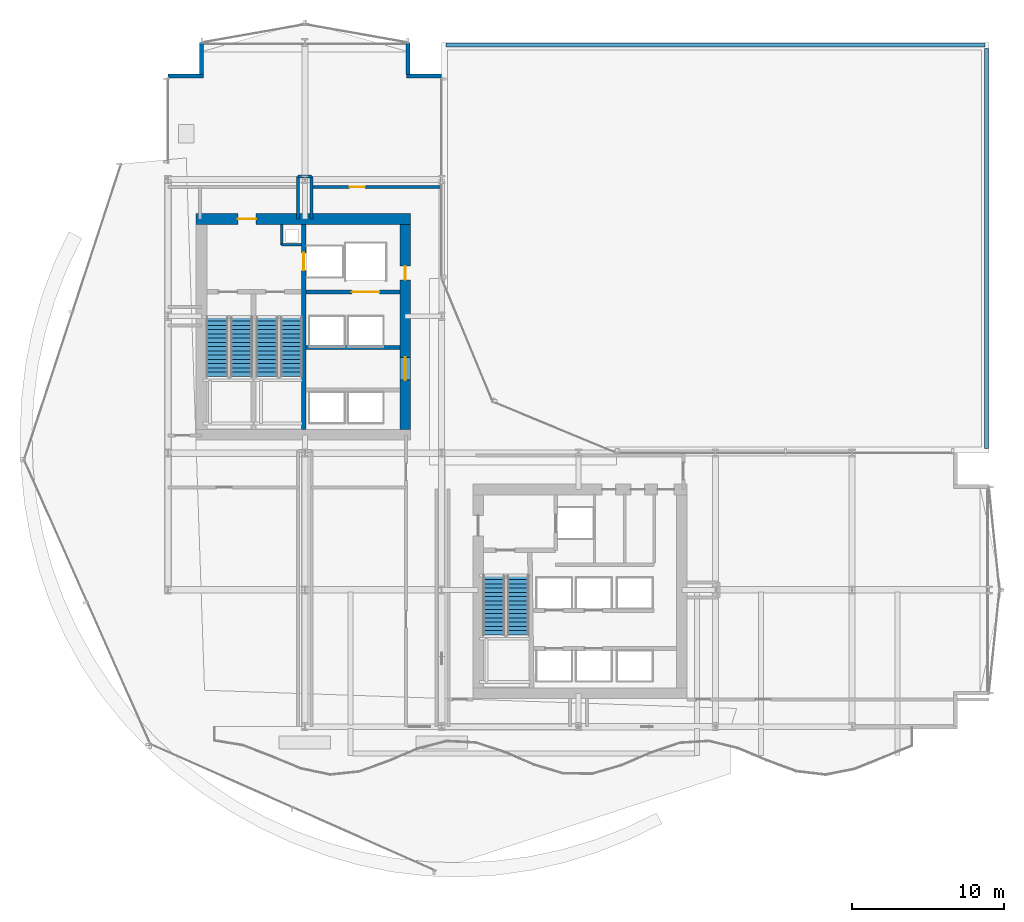
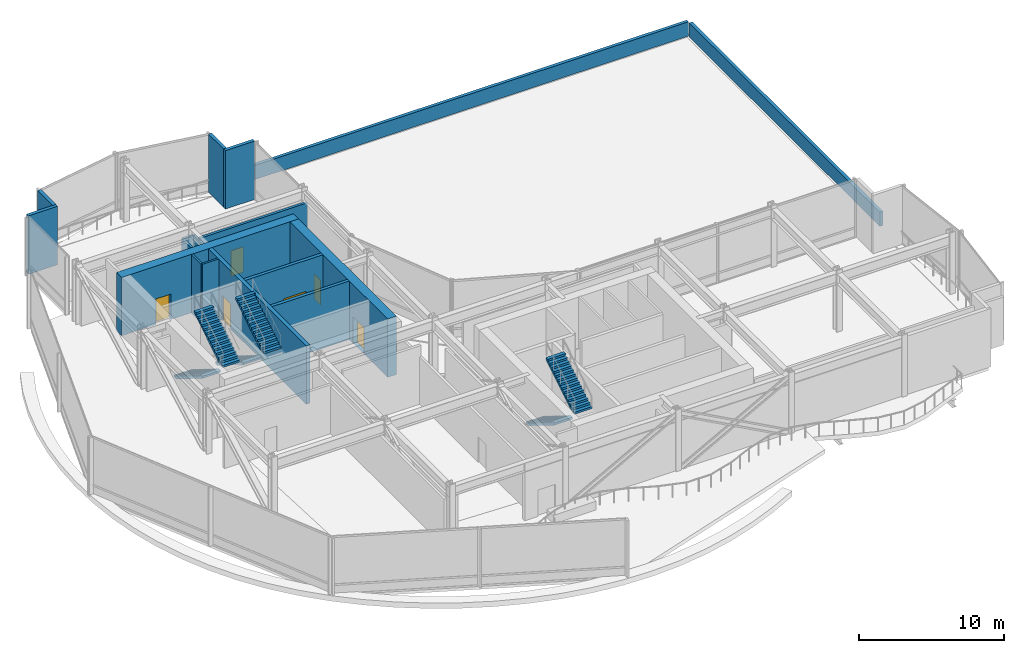
# One storey, part 30 of 37: 17 walls, 6 doors, 6 stair flights, 6 openings, 3 elements without a shape of their own.
"""IFC4 building model written with IfcOpenShell, lengths in metres."""

from ifc_helpers import new_model, si_unit, direction, frame, frame_2d, origin, place, context, subcontext, project, spatial, polyline, rectangle, outline, extrude, material, layer, layer_set, type_object, element, fill, aggregate, save


model = new_model("IFC4")

# Units and contexts
model_context = context("Model", 3, precision=1e-05, world=origin(), true_north=direction((0.0, 1.0)))
body_context = subcontext(model_context, "Body", "Model", "MODEL_VIEW")
ifc_project = project(units=[si_unit("LENGTHUNIT", "METRE"), si_unit("AREAUNIT", "SQUARE_METRE"), si_unit("VOLUMEUNIT", "CUBIC_METRE"), si_unit("PLANEANGLEUNIT", "RADIAN"), si_unit("MASSUNIT", "GRAM", prefix="KILO")], contexts=[model_context])

# Site, building, storey
site_placement = place(None, origin())
site = spatial("IfcSite", under=ifc_project, at=site_placement, CompositionType="ELEMENT")
building_placement = place(site_placement, origin())
building = spatial("IfcBuilding", under=site, at=building_placement, Name="Solvaryn Broadcast Tower", CompositionType="ELEMENT")
storey_placement = place(building_placement, frame((0.0, 0.0, 30.800048828125)))
storey = spatial("IfcBuildingStorey", under=building, at=storey_placement, Name="L06", CompositionType="ELEMENT", Elevation=30.800048828125)

# Wall, opening, door
ifc_material_1 = material(Name="Concrete f'c 70 MPa", Category="concrete")
ifc_layer_1 = layer(ifc_material_1, 0.699951171875)
ifc_layer_set_1 = layer_set([ifc_layer_1], Name="CW-SHEAR-700")
wall_type_1 = type_object("IfcWallType", Name="CW-SHEAR-700", PredefinedType="SHEAR", material=ifc_layer_set_1)
wall_1_placement = place(storey_placement, frame((24.949951171875, 42.39990234375, 0.0), z_axis=(0.0, 0.0, 1.0), x_axis=(-1.0, 0.0, 0.0)))
wall_1 = element("IfcWall", 1, at=wall_1_placement, inside=storey, type_object=wall_type_1, Name="L06 West Core North Shear Wall", PredefinedType="SHEAR", context=body_context, shape_type="SweptSolid", body=[
    extrude(rectangle(XDim=14.099853515625, YDim=0.699951171875, at=frame_2d((7.0498046875, 0.0))), origin(), (0.0, 0.0, 1.0), 4.919921875),
])
opening_1_placement = place(wall_1_placement, frame((10.14990234375, 0.0, 0.0)))
opening_1 = element("IfcOpeningElement", 2, at=opening_1_placement, cuts=wall_1, Name="Opening FD90A", PredefinedType="OPENING", context=body_context, shape_type="SweptSolid", body=[
    extrude(rectangle(XDim=1.199951171875, YDim=2.14990234375, at=frame_2d((0.60009765625, 1.074951171875))), frame((0.0, 0.360107421875, 0.0), z_axis=(0.0, -1.0, 0.0), x_axis=(1.0, 0.0, 0.0)), (0.0, 0.0, 1.0), 0.719970703125),
])
ifc_material_2 = material(Name="Flush Acoustic Steel and Timber Door Assembly", Category="steel")
door_type_1 = type_object("IfcDoorType", Name="FD90-STAIR-1200X2150", OperationType="NOTDEFINED", PredefinedType="DOOR", material=ifc_material_2)
door_1_placement = place(opening_1_placement, origin())
door_1 = element("IfcDoor", 3, at=door_1_placement, inside=storey, type_object=door_type_1, Name="L06 West FSAE Lobby Corridor Door", OperationType="SINGLE_SWING_LEFT", OverallHeight=2.14990234375, OverallWidth=1.199951171875, PredefinedType="DOOR", context=body_context, shape_type="SweptSolid", body=[
    extrude(rectangle(XDim=1.199951171875, YDim=2.14990234375, at=frame_2d((0.60009765625, 1.074951171875))), frame((0.0, 0.02490234375, 0.0), z_axis=(0.0, -1.0, 0.0), x_axis=(1.0, 0.0, 0.0)), (0.0, 0.0, 1.0), 0.050048828125),
])
fill(opening_1, door_1)

# Wall, openings, doors
wall_2_placement = place(storey_placement, frame((24.60009765625, 28.550048828125, 0.0), z_axis=(0.0, 0.0, 1.0), x_axis=(0.0, 1.0, 0.0)))
wall_2 = element("IfcWall", 4, at=wall_2_placement, inside=storey, type_object=wall_type_1, Name="L06 West Core East Shear Wall", PredefinedType="SHEAR", context=body_context, shape_type="SweptSolid", body=[
    extrude(rectangle(XDim=13.5, YDim=0.699951171875, at=frame_2d((6.75, 0.0))), origin(), (0.0, 0.0, 1.0), 4.919921875),
])
opening_2_placement = place(wall_2_placement, frame((3.25, 0.0, 0.0)))
opening_2 = element("IfcOpeningElement", 5, at=opening_2_placement, cuts=wall_2, Name="Opening FD60A", PredefinedType="OPENING", context=body_context, shape_type="SweptSolid", body=[
    extrude(rectangle(XDim=1.5, YDim=2.199951171875, at=frame_2d((0.75, 1.10009765625))), frame((0.0, 0.360107421875, 0.0), z_axis=(0.0, -1.0, 0.0), x_axis=(1.0, 0.0, 0.0)), (0.0, 0.0, 1.0), 0.719970703125),
])
opening_3_placement = place(wall_2_placement, frame((9.85009765625, 0.0, 0.0)))
opening_3 = element("IfcOpeningElement", 6, at=opening_3_placement, cuts=wall_2, Name="Opening FD60C", PredefinedType="OPENING", context=body_context, shape_type="SweptSolid", body=[
    extrude(rectangle(XDim=0.89990234375, YDim=2.10009765625, at=frame_2d((0.449951171875, 1.050048828125))), frame((0.0, 0.360107421875, 0.0), z_axis=(0.0, -1.0, 0.0), x_axis=(1.0, 0.0, 0.0)), (0.0, 0.0, 1.0), 0.719970703125),
])
ifc_material_3 = material(Name="Flush Acoustic Steel and Timber Door Assembly", Category="steel")
door_type_2 = type_object("IfcDoorType", Name="FD60-CORR-1500X2200", OperationType="NOTDEFINED", PredefinedType="DOOR", material=ifc_material_3)
door_2_placement = place(opening_2_placement, origin())
door_2 = element("IfcDoor", 7, at=door_2_placement, inside=storey, type_object=door_type_2, Name="L06 West Elevator Lobby Corridor Door", OperationType="DOUBLE_DOOR_SINGLE_SWING", OverallHeight=2.199951171875, OverallWidth=1.5, PredefinedType="DOOR", context=body_context, shape_type="SweptSolid", body=[
    extrude(rectangle(XDim=1.5, YDim=2.199951171875, at=frame_2d((0.75, 1.10009765625))), frame((0.0, 0.02490234375, 0.0), z_axis=(0.0, -1.0, 0.0), x_axis=(1.0, 0.0, 0.0)), (0.0, 0.0, 1.0), 0.050048828125),
])
fill(opening_2, door_2)
ifc_material_4 = material(Name="Flush Acoustic Steel and Timber Door Assembly", Category="steel")
door_type_3 = type_object("IfcDoorType", Name="FD60-SERV-900X2100", OperationType="NOTDEFINED", PredefinedType="DOOR", material=ifc_material_4)
door_3_placement = place(opening_3_placement, origin())
door_3 = element("IfcDoor", 8, at=door_3_placement, inside=storey, type_object=door_type_3, Name="L06 West Core Service Door 1", OperationType="SINGLE_SWING_LEFT", OverallHeight=2.10009765625, OverallWidth=0.89990234375, PredefinedType="DOOR", context=body_context, shape_type="SweptSolid", body=[
    extrude(rectangle(XDim=0.89990234375, YDim=2.10009765625, at=frame_2d((0.449951171875, 1.050048828125))), frame((0.0, 0.02490234375, 0.0), z_axis=(0.0, -1.0, 0.0), x_axis=(1.0, 0.0, 0.0)), (0.0, 0.0, 1.0), 0.050048828125),
])
fill(opening_3, door_3)

# Walls
ifc_material_5 = material(Name="Concrete f'c 50 MPa", Category="concrete")
ifc_layer_2 = layer(ifc_material_5, 0.260009765625)
ifc_layer_set_2 = layer_set([ifc_layer_2], Name="EW-PIER-260")
wall_type_2 = type_object("IfcWallType", Name="EW-PIER-260", PredefinedType="SOLIDWALL", material=ifc_layer_set_2)
wall_3_placement = place(storey_placement, frame((9.0, 51.800048828125, 0.0), z_axis=(0.0, 0.0, 1.0), x_axis=(1.0, 0.0, 0.0)))
element("IfcWall", 9, at=wall_3_placement, inside=storey, type_object=wall_type_2, Name="L06 Notched Corner Pier Wall NNW1", PredefinedType="SOLIDWALL", context=body_context, shape_type="SweptSolid", body=[
    extrude(rectangle(XDim=2.320068359375, YDim=0.260009765625, at=frame_2d((1.16015625, 0.0))), origin(), (0.0, 0.0, 1.0), 4.919921875),
])
for number, where, z_axis, x_axis, name in (
    (10, (11.199951171875, 51.919921875, 0.0), (0.0, 0.0, 1.0), (0.0, 1.0, 0.0), "L06 Notched Corner Pier Wall NNW2"),
    (11, (24.800048828125, 54.0, 0.0), (0.0, 0.0, 1.0), (0.0, -1.0, 0.0), "L06 Notched Corner Pier Wall NNE1"),
):
    element("IfcWall", number, at=place(storey_placement, frame(where, z_axis=z_axis, x_axis=x_axis)), inside=storey, type_object=wall_type_2, Name=name, PredefinedType="SOLIDWALL", context=body_context, shape_type="SweptSolid", body=[
        extrude(rectangle(XDim=2.080078125, YDim=0.260009765625, at=frame_2d((1.0400390625, 0.0))), origin(), (0.0, 0.0, 1.0), 4.919921875),
    ])
wall_4_placement = place(storey_placement, frame((24.679931640625, 51.800048828125, 0.0), z_axis=(0.0, 0.0, 1.0), x_axis=(1.0, 0.0, 0.0)))
element("IfcWall", 12, at=wall_4_placement, inside=storey, type_object=wall_type_2, Name="L06 Notched Corner Pier Wall NNE2", PredefinedType="SOLIDWALL", context=body_context, shape_type="SweptSolid", body=[
    extrude(rectangle(XDim=2.320068359375, YDim=0.260009765625, at=frame_2d((1.16015625, 0.0))), origin(), (0.0, 0.0, 1.0), 4.919921875),
])
ifc_material_6 = material(Name="Metal-Stud Service Core Partition")
ifc_layer_3 = layer(ifc_material_6, 0.14990234375)
ifc_layer_set_3 = layer_set([ifc_layer_3], Name="IW-PART-150")
wall_type_3 = type_object("IfcWallType", Name="IW-PART-150", PredefinedType="PARTITIONING", material=ifc_layer_set_3)
wall_5_placement = place(storey_placement, frame((16.47998046875, 40.699951171875, 0.0), z_axis=(0.0, 0.0, 1.0), x_axis=(1.0, 0.0, 0.0)))
element("IfcWall", 13, at=wall_5_placement, inside=storey, type_object=wall_type_3, Name="L06 West Core Riser Shaft South Wall", PredefinedType="PARTITIONING", context=body_context, shape_type="SweptSolid", body=[
    extrude(rectangle(XDim=1.2900390625, YDim=0.14990234375, at=frame_2d((0.64501953125, 0.0))), origin(), (0.0, 0.0, 1.0), 4.919921875),
])
wall_6_placement = place(storey_placement, frame((16.47998046875, 40.699951171875, 0.0), z_axis=(0.0, 0.0, 1.0), x_axis=(0.0, 1.0, 0.0)))
element("IfcWall", 14, at=wall_6_placement, inside=storey, type_object=wall_type_3, Name="L06 West Core Riser Shaft West Wall", PredefinedType="PARTITIONING", context=body_context, shape_type="SweptSolid", body=[
    extrude(rectangle(XDim=1.35009765625, YDim=0.14990234375, at=frame_2d((0.675048828125, 0.0))), origin(), (0.0, 0.0, 1.0), 4.919921875),
])

# Wall, opening, door
ifc_material_7 = material(Name="Gypsum Fire-Rated Shaftwall Assembly", Category="concrete")
ifc_layer_4 = layer(ifc_material_7, 0.199951171875)
ifc_layer_set_4 = layer_set([ifc_layer_4], Name="IW-RATED-200")
wall_type_4 = type_object("IfcWallType", Name="IW-RATED-200", PredefinedType="PARTITIONING", material=ifc_layer_set_4)
wall_7_placement = place(storey_placement, frame((18.449951171875, 44.5, 0.0), z_axis=(0.0, 0.0, 1.0), x_axis=(1.0, 0.0, 0.0)))
wall_7 = element("IfcWall", 15, at=wall_7_placement, inside=storey, type_object=wall_type_4, Name="L06 Interior Partition IW-L06-MW7B", PredefinedType="PARTITIONING", context=body_context, shape_type="SweptSolid", body=[
    extrude(rectangle(XDim=8.550048828125, YDim=0.199951171875, at=frame_2d((4.27490234375, 0.0))), origin(), (0.0, 0.0, 1.0), 4.126953125),
])
opening_4_placement = place(wall_7_placement, frame((2.5, 0.0, 0.0)))
opening_4 = element("IfcOpeningElement", 16, at=opening_4_placement, cuts=wall_7, Name="Opening FD90D", PredefinedType="OPENING", context=body_context, shape_type="SweptSolid", body=[
    extrude(rectangle(XDim=1.0, YDim=2.14990234375, at=frame_2d((0.5, 1.074951171875))), frame((0.0, 0.110107421875, 0.0), z_axis=(0.0, -1.0, 0.0), x_axis=(1.0, 0.0, 0.0)), (0.0, 0.0, 1.0), 0.219970703125),
])
ifc_material_8 = material(Name="Flush Acoustic Steel and Timber Door Assembly", Category="steel")
door_type_4 = type_object("IfcDoorType", Name="FD90-FCC-1000X2150", OperationType="NOTDEFINED", PredefinedType="DOOR", material=ifc_material_8)
door_4_placement = place(opening_4_placement, origin())
door_4 = element("IfcDoor", 17, at=door_4_placement, inside=storey, type_object=door_type_4, Name="L06 Door DR-L06-MD4B", OperationType="SINGLE_SWING_LEFT", OverallHeight=2.14990234375, OverallWidth=1.0, PredefinedType="DOOR", context=body_context, shape_type="SweptSolid", body=[
    extrude(rectangle(XDim=1.0, YDim=2.14990234375, at=frame_2d((0.5, 1.074951171875))), frame((0.0, 0.02490234375, 0.0), z_axis=(0.0, -1.0, 0.0), x_axis=(1.0, 0.0, 0.0)), (0.0, 0.0, 1.0), 0.050048828125),
])
fill(opening_4, door_4)

# Walls
for number, where, z_axis, x_axis, name in (
    (18, (17.550048828125, 42.39990234375, 0.0), (0.0, 0.0, 1.0), (0.0, 1.0, 0.0), "L06 Interior Partition IW-L06-MW7W"),
    (19, (18.449951171875, 42.39990234375, 0.0), (0.0, 0.0, 1.0), (0.0, 1.0, 0.0), "L06 Interior Partition IW-L06-MW7E"),
):
    element("IfcWall", number, at=place(storey_placement, frame(where, z_axis=z_axis, x_axis=x_axis)), inside=storey, type_object=wall_type_4, Name=name, PredefinedType="PARTITIONING", context=body_context, shape_type="SweptSolid", body=[
        extrude(rectangle(XDim=2.800048828125, YDim=0.199951171875, at=frame_2d((1.39990234375, 0.0))), origin(), (0.0, 0.0, 1.0), 3.972900390625),
    ])
wall_8_placement = place(storey_placement, frame((17.550048828125, 45.199951171875, 0.0), z_axis=(0.0, 0.0, 1.0), x_axis=(1.0, 0.0, 0.0)))
element("IfcWall", 20, at=wall_8_placement, inside=storey, type_object=wall_type_4, Name="L06 Interior Partition IW-L06-MW7N", PredefinedType="PARTITIONING", context=body_context, shape_type="SweptSolid", body=[
    extrude(rectangle(XDim=0.89990234375, YDim=0.199951171875, at=frame_2d((0.449951171875, 0.0))), origin(), (0.0, 0.0, 1.0), 3.972900390625),
])
ifc_material_9 = material(Name="Concrete f'c 50 MPa", Category="concrete")
ifc_layer_5 = layer(ifc_material_9, 0.25)
ifc_layer_set_5 = layer_set([ifc_layer_5], Name="PR-ROOF-250")
wall_type_5 = type_object("IfcWallType", Name="PR-ROOF-250", PredefinedType="PARAPET", material=ifc_layer_set_5)
wall_9_placement = place(storey_placement, frame((27.300048828125, 53.85009765625, 0.0), z_axis=(0.0, 0.0, 1.0), x_axis=(1.0, 0.0, 0.0)))
element("IfcWall", 21, at=wall_9_placement, inside=storey, type_object=wall_type_5, Name="L06 Podium Roof North Parapet", PredefinedType="PARAPET", context=body_context, shape_type="SweptSolid", body=[
    extrude(rectangle(XDim=35.449951171875, YDim=0.25, at=frame_2d((17.72509765625, 0.0))), origin(), (0.0, 0.0, 1.0), 1.199951171875),
])
wall_10_placement = place(storey_placement, frame((62.85009765625, 53.60009765625, 0.0), z_axis=(0.0, 0.0, 1.0), x_axis=(0.0, -1.0, 0.0)))
element("IfcWall", 22, at=wall_10_placement, inside=storey, type_object=wall_type_5, Name="L06 Podium Roof East Parapet", PredefinedType="PARAPET", context=body_context, shape_type="SweptSolid", body=[
    extrude(rectangle(XDim=26.300048828125, YDim=0.25, at=frame_2d((13.14990234375, 0.0))), origin(), (0.0, 0.0, 1.0), 1.199951171875),
])

# Wall, opening, door
ifc_material_10 = material(Name="Concrete f'c 60 MPa", Category="concrete")
ifc_layer_6 = layer(ifc_material_10, 0.25)
ifc_layer_set_6 = layer_set([ifc_layer_6], Name="SW-SHAFT-250")
wall_type_6 = type_object("IfcWallType", Name="SW-SHAFT-250", PredefinedType="PARTITIONING", material=ifc_layer_set_6)
wall_11_placement = place(storey_placement, frame((18.070068359375, 37.60009765625, 0.0), z_axis=(0.0, 0.0, 1.0), x_axis=(1.0, 0.0, 0.0)))
wall_11 = element("IfcWall", 23, at=wall_11_placement, inside=storey, type_object=wall_type_6, Name="L06 West Core FSAE Hoistway Front Wall", PredefinedType="PARTITIONING", context=body_context, shape_type="SweptSolid", body=[
    extrude(rectangle(XDim=6.179931640625, YDim=0.25, at=frame_2d((3.08984375, 0.0))), origin(), (0.0, 0.0, 1.0), 4.919921875),
])
opening_5_placement = place(wall_11_placement, frame((3.030029296875, 0.0, 0.0)))
opening_5 = element("IfcOpeningElement", 24, at=opening_5_placement, cuts=wall_11, Name="Opening LD02", PredefinedType="OPENING", context=body_context, shape_type="SweptSolid", body=[
    extrude(rectangle(XDim=1.800048828125, YDim=2.300048828125, at=frame_2d((0.89990234375, 1.14990234375))), frame((0.0, 0.135009765625, 0.0), z_axis=(0.0, -1.0, 0.0), x_axis=(1.0, 0.0, 0.0)), (0.0, 0.0, 1.0), 0.27001953125),
])
ifc_material_11 = material(Name="Flush Acoustic Steel and Timber Door Assembly", Category="steel")
door_type_5 = type_object("IfcDoorType", Name="LD-FREIGHT-1800X2300", OperationType="NOTDEFINED", PredefinedType="DOOR", material=ifc_material_11)
door_5_placement = place(opening_5_placement, origin())
door_5 = element("IfcDoor", 25, at=door_5_placement, inside=storey, type_object=door_type_5, Name="L06 SV1 Freight Lift Landing Door", OperationType="DOUBLE_DOOR_SLIDING", OverallHeight=2.300048828125, OverallWidth=1.800048828125, PredefinedType="DOOR", context=body_context, shape_type="SweptSolid", body=[
    extrude(rectangle(XDim=1.800048828125, YDim=2.300048828125, at=frame_2d((0.89990234375, 1.14990234375))), frame((0.0, 0.02490234375, 0.0), z_axis=(0.0, -1.0, 0.0), x_axis=(1.0, 0.0, 0.0)), (0.0, 0.0, 1.0), 0.050048828125),
])
fill(opening_5, door_5)

# Wall
wall_12_placement = place(storey_placement, frame((24.25, 33.949951171875, 0.0), z_axis=(0.0, 0.0, 1.0), x_axis=(-1.0, 0.0, 0.0)))
element("IfcWall", 26, at=wall_12_placement, inside=storey, type_object=wall_type_6, Name="L06 High-Rise Lift Bank North Wall", PredefinedType="PARTITIONING", context=body_context, shape_type="SweptSolid", body=[
    extrude(rectangle(XDim=6.179931640625, YDim=0.25, at=frame_2d((3.08984375, 0.0))), origin(), (0.0, 0.0, 1.0), 4.919921875),
])

# Wall, opening, door
ifc_material_12 = material(Name="Concrete f'c 70 MPa", Category="concrete")
ifc_layer_7 = layer(ifc_material_12, 0.300048828125)
ifc_layer_set_7 = layer_set([ifc_layer_7], Name="SW-SHAFT-300")
wall_type_7 = type_object("IfcWallType", Name="SW-SHAFT-300", PredefinedType="SHEAR", material=ifc_layer_set_7)
wall_13_placement = place(storey_placement, frame((17.919921875, 42.050048828125, 0.0), z_axis=(0.0, 0.0, 1.0), x_axis=(0.0, -1.0, 0.0)))
wall_13 = element("IfcWall", 27, at=wall_13_placement, inside=storey, type_object=wall_type_7, Name="L06 West Core Stair-Lobby Shear Wall", PredefinedType="SHEAR", context=body_context, shape_type="SweptSolid", body=[
    extrude(rectangle(XDim=13.5, YDim=0.300048828125, at=frame_2d((6.75, 0.0))), origin(), (0.0, 0.0, 1.0), 4.919921875),
])
opening_6_placement = place(wall_13_placement, frame((1.875, 0.0, 0.0)))
opening_6 = element("IfcOpeningElement", 28, at=opening_6_placement, cuts=wall_13, Name="Opening LD01", PredefinedType="OPENING", context=body_context, shape_type="SweptSolid", body=[
    extrude(rectangle(XDim=1.14990234375, YDim=2.14990234375, at=frame_2d((0.574951171875, 1.074951171875))), frame((0.0, 0.159912109375, 0.0), z_axis=(0.0, -1.0, 0.0), x_axis=(1.0, 0.0, 0.0)), (0.0, 0.0, 1.0), 0.320068359375),
])
ifc_material_13 = material(Name="Flush Acoustic Steel and Timber Door Assembly", Category="steel")
door_type_6 = type_object("IfcDoorType", Name="LD-LIFT-1150X2150", OperationType="NOTDEFINED", PredefinedType="DOOR", material=ifc_material_13)
door_6_placement = place(opening_6_placement, origin())
door_6 = element("IfcDoor", 29, at=door_6_placement, inside=storey, type_object=door_type_6, Name="L06 FL1 Lift Landing Door", OperationType="DOUBLE_DOOR_SLIDING", OverallHeight=2.14990234375, OverallWidth=1.14990234375, PredefinedType="DOOR", context=body_context, shape_type="SweptSolid", body=[
    extrude(rectangle(XDim=1.14990234375, YDim=2.14990234375, at=frame_2d((0.574951171875, 1.074951171875))), frame((0.0, 0.02490234375, 0.0), z_axis=(0.0, -1.0, 0.0), x_axis=(1.0, 0.0, 0.0)), (0.0, 0.0, 1.0), 0.050048828125),
])
fill(opening_6, door_6)

# Stair, stair flights
ifc_material_14 = material(Name="Concrete f'c 60 MPa", Category="concrete")
stair_type = type_object("IfcStairType", Name="ST-CORE", PredefinedType="HALF_TURN_STAIR", material=ifc_material_14)
stair_1_placement = place(storey_placement, origin())
stair_1 = element("IfcStair", 30, at=stair_1_placement, inside=storey, type_object=stair_type, Name="L06 ST1", PredefinedType="HALF_TURN_STAIR")
ifc_material_15 = material(Name="Concrete f'c 60 MPa", Category="concrete")
ifc_layer_8 = layer(ifc_material_15, 0.159912109375)
ifc_layer_set_8 = layer_set([ifc_layer_8], Name="SF-CORE")
stair_flight_type = type_object("IfcStairFlightType", Name="SF-CORE", PredefinedType="STRAIGHT", material=ifc_layer_set_8)
stair_flight_1_placement = place(storey_placement, frame((12.239990234375, 35.9599609375, 0.0), z_axis=(0.0, 0.0, 1.0), x_axis=(0.0, -1.0, 0.0)))
stair_flight_1 = element("IfcStairFlight", 31, at=stair_flight_1_placement, type_object=stair_flight_type, Name="ST1 flight 1", NumberOfRisers=15, NumberOfTreads=14, PredefinedType="STRAIGHT", RiserHeight=0.173333333, TreadLength=0.28, context=body_context, shape_type="SweptSolid", body=[
    extrude(outline(polyline([(0.0, 0.0), (0.0, 0.17333984375), (0.280029296875, 0.17333984375), (0.280029296875, 0.3466796875), (0.56005859375, 0.3466796875), (0.56005859375, 0.52001953125), (0.840087890625, 0.52001953125), (0.840087890625, 0.693359375), (1.1201171875, 0.693359375), (1.1201171875, 0.86669921875), (1.39990234375, 0.86669921875), (1.39990234375, 1.0400390625), (1.679931640625, 1.0400390625), (1.679931640625, 1.21337890625), (1.9599609375, 1.21337890625), (1.9599609375, 1.38671875), (2.239990234375, 1.38671875), (2.239990234375, 1.56005859375), (2.52001953125, 1.56005859375), (2.52001953125, 1.7333984375), (2.800048828125, 1.7333984375), (2.800048828125, 1.90673828125), (3.080078125, 1.90673828125), (3.080078125, 2.080078125), (3.360107421875, 2.080078125), (3.360107421875, 2.25341796875), (3.639892578125, 2.25341796875), (3.639892578125, 2.4267578125), (3.919921875, 2.4267578125), (3.919921875, 2.60009765625), (3.919921875, 2.250244140625), (0.284912109375, 0.0), (0.0, 0.0)])), frame((0.0, 0.719970703125, 0.0), z_axis=(0.0, -1.0, 0.0), x_axis=(1.0, 0.0, 0.0)), (0.0, 0.0, 1.0), 1.43994140625),
])
stair_flight_2_placement = place(storey_placement, frame((13.830078125, 32.0400390625, 2.599853515625), z_axis=(0.0, 0.0, 1.0), x_axis=(0.0, 1.0, 0.0)))
stair_flight_2 = element("IfcStairFlight", 32, at=stair_flight_2_placement, type_object=stair_flight_type, Name="ST1 flight 2", NumberOfRisers=15, NumberOfTreads=14, PredefinedType="STRAIGHT", RiserHeight=0.173333333, TreadLength=0.28, context=body_context, shape_type="SweptSolid", body=[
    extrude(outline(polyline([(0.0, 0.0), (0.0, 0.17333984375), (0.280029296875, 0.17333984375), (0.280029296875, 0.3466796875), (0.56005859375, 0.3466796875), (0.56005859375, 0.52001953125), (0.840087890625, 0.52001953125), (0.840087890625, 0.693359375), (1.1201171875, 0.693359375), (1.1201171875, 0.86669921875), (1.39990234375, 0.86669921875), (1.39990234375, 1.0400390625), (1.679931640625, 1.0400390625), (1.679931640625, 1.21337890625), (1.9599609375, 1.21337890625), (1.9599609375, 1.38671875), (2.239990234375, 1.38671875), (2.239990234375, 1.56005859375), (2.52001953125, 1.56005859375), (2.52001953125, 1.7333984375), (2.800048828125, 1.7333984375), (2.800048828125, 1.90673828125), (3.080078125, 1.90673828125), (3.080078125, 2.080078125), (3.360107421875, 2.080078125), (3.360107421875, 2.25341796875), (3.639892578125, 2.25341796875), (3.639892578125, 2.4267578125), (3.919921875, 2.4267578125), (3.919921875, 2.60009765625), (3.919921875, 2.250244140625), (0.284912109375, 0.0), (0.0, 0.0)])), frame((0.0, 0.719970703125, 0.0), z_axis=(0.0, -1.0, 0.0), x_axis=(1.0, 0.0, 0.0)), (0.0, 0.0, 1.0), 1.43994140625),
])
aggregate(stair_1, [stair_flight_1, stair_flight_2])

stair_2_placement = place(storey_placement, origin())
stair_2 = element("IfcStair", 33, at=stair_2_placement, inside=storey, type_object=stair_type, Name="L06 ST2", PredefinedType="HALF_TURN_STAIR")
stair_flight_3_placement = place(storey_placement, frame((15.52001953125, 35.9599609375, 0.0), z_axis=(0.0, 0.0, 1.0), x_axis=(0.0, -1.0, 0.0)))
stair_flight_3 = element("IfcStairFlight", 34, at=stair_flight_3_placement, type_object=stair_flight_type, Name="ST2 flight 1", NumberOfRisers=15, NumberOfTreads=14, PredefinedType="STRAIGHT", RiserHeight=0.173333333, TreadLength=0.28, context=body_context, shape_type="SweptSolid", body=[
    extrude(outline(polyline([(0.0, 0.0), (0.0, 0.17333984375), (0.280029296875, 0.17333984375), (0.280029296875, 0.3466796875), (0.56005859375, 0.3466796875), (0.56005859375, 0.52001953125), (0.840087890625, 0.52001953125), (0.840087890625, 0.693359375), (1.1201171875, 0.693359375), (1.1201171875, 0.86669921875), (1.39990234375, 0.86669921875), (1.39990234375, 1.0400390625), (1.679931640625, 1.0400390625), (1.679931640625, 1.21337890625), (1.9599609375, 1.21337890625), (1.9599609375, 1.38671875), (2.239990234375, 1.38671875), (2.239990234375, 1.56005859375), (2.52001953125, 1.56005859375), (2.52001953125, 1.7333984375), (2.800048828125, 1.7333984375), (2.800048828125, 1.90673828125), (3.080078125, 1.90673828125), (3.080078125, 2.080078125), (3.360107421875, 2.080078125), (3.360107421875, 2.25341796875), (3.639892578125, 2.25341796875), (3.639892578125, 2.4267578125), (3.919921875, 2.4267578125), (3.919921875, 2.60009765625), (3.919921875, 2.250244140625), (0.284912109375, 0.0), (0.0, 0.0)])), frame((0.0, 0.719970703125, 0.0), z_axis=(0.0, -1.0, 0.0), x_axis=(1.0, 0.0, 0.0)), (0.0, 0.0, 1.0), 1.43994140625),
])
stair_flight_4_placement = place(storey_placement, frame((17.110107421875, 32.0400390625, 2.599853515625), z_axis=(0.0, 0.0, 1.0), x_axis=(0.0, 1.0, 0.0)))
stair_flight_4 = element("IfcStairFlight", 35, at=stair_flight_4_placement, type_object=stair_flight_type, Name="ST2 flight 2", NumberOfRisers=15, NumberOfTreads=14, PredefinedType="STRAIGHT", RiserHeight=0.173333333, TreadLength=0.28, context=body_context, shape_type="SweptSolid", body=[
    extrude(outline(polyline([(0.0, 0.0), (0.0, 0.17333984375), (0.280029296875, 0.17333984375), (0.280029296875, 0.3466796875), (0.56005859375, 0.3466796875), (0.56005859375, 0.52001953125), (0.840087890625, 0.52001953125), (0.840087890625, 0.693359375), (1.1201171875, 0.693359375), (1.1201171875, 0.86669921875), (1.39990234375, 0.86669921875), (1.39990234375, 1.0400390625), (1.679931640625, 1.0400390625), (1.679931640625, 1.21337890625), (1.9599609375, 1.21337890625), (1.9599609375, 1.38671875), (2.239990234375, 1.38671875), (2.239990234375, 1.56005859375), (2.52001953125, 1.56005859375), (2.52001953125, 1.7333984375), (2.800048828125, 1.7333984375), (2.800048828125, 1.90673828125), (3.080078125, 1.90673828125), (3.080078125, 2.080078125), (3.360107421875, 2.080078125), (3.360107421875, 2.25341796875), (3.639892578125, 2.25341796875), (3.639892578125, 2.4267578125), (3.919921875, 2.4267578125), (3.919921875, 2.60009765625), (3.919921875, 2.250244140625), (0.284912109375, 0.0), (0.0, 0.0)])), frame((0.0, 0.719970703125, 0.0), z_axis=(0.0, -1.0, 0.0), x_axis=(1.0, 0.0, 0.0)), (0.0, 0.0, 1.0), 1.43994140625),
])
aggregate(stair_2, [stair_flight_3, stair_flight_4])

stair_3_placement = place(storey_placement, origin())
stair_3 = element("IfcStair", 36, at=stair_3_placement, inside=storey, type_object=stair_type, Name="L06 ST3", PredefinedType="HALF_TURN_STAIR")
stair_flight_5_placement = place(storey_placement, frame((30.43994140625, 18.9599609375, 0.0), z_axis=(0.0, 0.0, 1.0), x_axis=(0.0, -1.0, 0.0)))
stair_flight_5 = element("IfcStairFlight", 37, at=stair_flight_5_placement, type_object=stair_flight_type, Name="ST3 flight 1", NumberOfRisers=15, NumberOfTreads=14, PredefinedType="STRAIGHT", RiserHeight=0.173333333, TreadLength=0.28, context=body_context, shape_type="SweptSolid", body=[
    extrude(outline(polyline([(0.0, 0.0), (0.0, 0.17333984375), (0.280029296875, 0.17333984375), (0.280029296875, 0.3466796875), (0.56005859375, 0.3466796875), (0.56005859375, 0.52001953125), (0.840087890625, 0.52001953125), (0.840087890625, 0.693359375), (1.1201171875, 0.693359375), (1.1201171875, 0.86669921875), (1.39990234375, 0.86669921875), (1.39990234375, 1.0400390625), (1.679931640625, 1.0400390625), (1.679931640625, 1.21337890625), (1.9599609375, 1.21337890625), (1.9599609375, 1.38671875), (2.239990234375, 1.38671875), (2.239990234375, 1.56005859375), (2.52001953125, 1.56005859375), (2.52001953125, 1.7333984375), (2.800048828125, 1.7333984375), (2.800048828125, 1.90673828125), (3.080078125, 1.90673828125), (3.080078125, 2.080078125), (3.360107421875, 2.080078125), (3.360107421875, 2.25341796875), (3.639892578125, 2.25341796875), (3.639892578125, 2.4267578125), (3.919921875, 2.4267578125), (3.919921875, 2.60009765625), (3.919921875, 2.250244140625), (0.284912109375, 0.0), (0.0, 0.0)])), frame((0.0, 0.719970703125, 0.0), z_axis=(0.0, -1.0, 0.0), x_axis=(1.0, 0.0, 0.0)), (0.0, 0.0, 1.0), 1.43994140625),
])
stair_flight_6_placement = place(storey_placement, frame((32.030029296875, 15.0400390625, 2.599853515625), z_axis=(0.0, 0.0, 1.0), x_axis=(0.0, 1.0, 0.0)))
stair_flight_6 = element("IfcStairFlight", 38, at=stair_flight_6_placement, type_object=stair_flight_type, Name="ST3 flight 2", NumberOfRisers=15, NumberOfTreads=14, PredefinedType="STRAIGHT", RiserHeight=0.173333333, TreadLength=0.28, context=body_context, shape_type="SweptSolid", body=[
    extrude(outline(polyline([(0.0, 0.0), (0.0, 0.17333984375), (0.280029296875, 0.17333984375), (0.280029296875, 0.3466796875), (0.56005859375, 0.3466796875), (0.56005859375, 0.52001953125), (0.840087890625, 0.52001953125), (0.840087890625, 0.693359375), (1.1201171875, 0.693359375), (1.1201171875, 0.86669921875), (1.39990234375, 0.86669921875), (1.39990234375, 1.0400390625), (1.679931640625, 1.0400390625), (1.679931640625, 1.21337890625), (1.9599609375, 1.21337890625), (1.9599609375, 1.38671875), (2.239990234375, 1.38671875), (2.239990234375, 1.56005859375), (2.52001953125, 1.56005859375), (2.52001953125, 1.7333984375), (2.800048828125, 1.7333984375), (2.800048828125, 1.90673828125), (3.080078125, 1.90673828125), (3.080078125, 2.080078125), (3.360107421875, 2.080078125), (3.360107421875, 2.25341796875), (3.639892578125, 2.25341796875), (3.639892578125, 2.4267578125), (3.919921875, 2.4267578125), (3.919921875, 2.60009765625), (3.919921875, 2.250244140625), (0.284912109375, 0.0), (0.0, 0.0)])), frame((0.0, 0.719970703125, 0.0), z_axis=(0.0, -1.0, 0.0), x_axis=(1.0, 0.0, 0.0)), (0.0, 0.0, 1.0), 1.43994140625),
])
aggregate(stair_3, [stair_flight_5, stair_flight_6])

save(model, "model.ifc")
